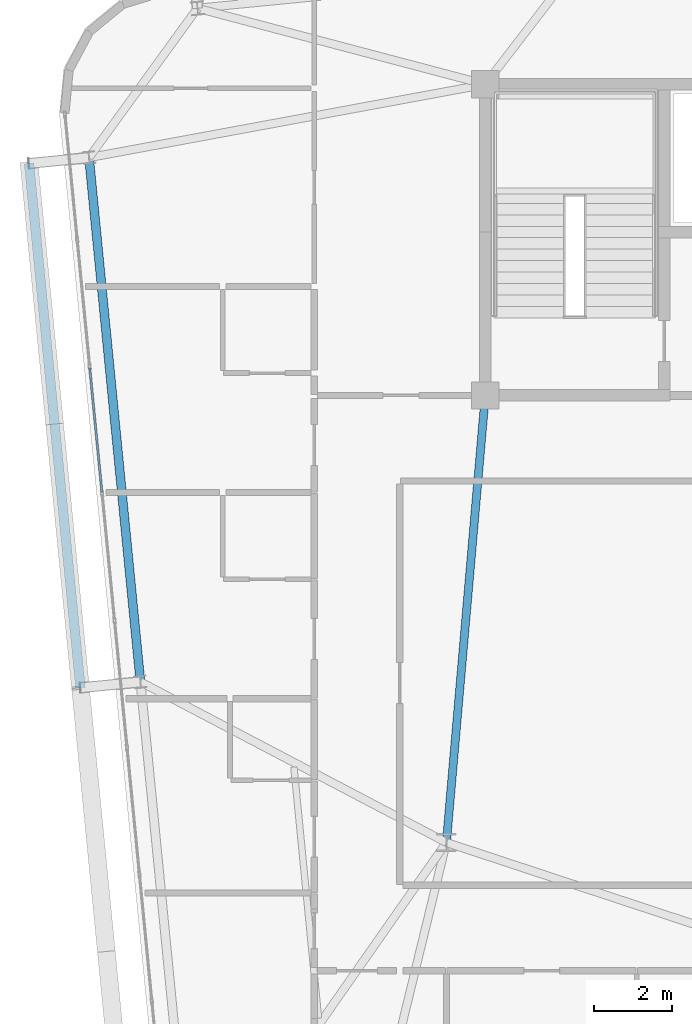
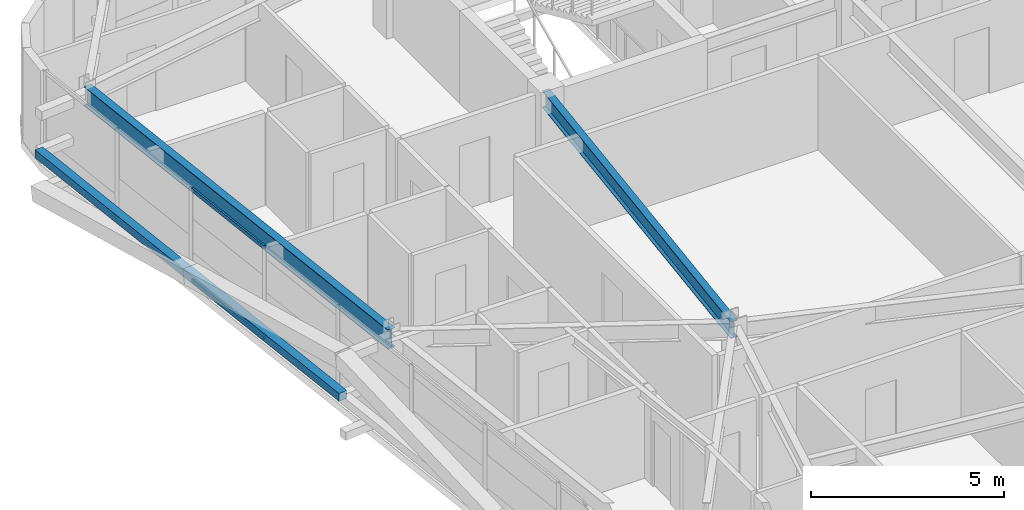
# One storey, part 14 of 53: 3 members, 2 beams, 1 element without a shape of its own.
"""IFC4 building model written with IfcOpenShell, lengths in metres."""

from ifc_helpers import new_model, si_unit, direction, frame, origin, origin_2d, place, context, subcontext, project, spatial, hollow_rectangle, i_section, extrude, source, transform, mapped, material, layer, layer_set, material_profile, profile_set, type_object, element, aggregate, save


model = new_model("IFC4")

# Units and contexts
model_context = context("Model", 3, precision=1e-05, world=origin(), true_north=direction((0.0, 1.0)))
body_context = subcontext(model_context, "Body", "Model", "MODEL_VIEW")
ifc_project = project(units=[si_unit("LENGTHUNIT", "METRE"), si_unit("AREAUNIT", "SQUARE_METRE"), si_unit("VOLUMEUNIT", "CUBIC_METRE"), si_unit("PLANEANGLEUNIT", "RADIAN"), si_unit("MASSUNIT", "GRAM", prefix="KILO")], contexts=[model_context])

# Site, building, storey
site_placement = place(None, origin())
site = spatial("IfcSite", under=ifc_project, at=site_placement, CompositionType="ELEMENT")
building_placement = place(site_placement, origin())
building = spatial("IfcBuilding", under=site, at=building_placement, Name="Taldren Reach Tower", CompositionType="ELEMENT")
storey_placement = place(building_placement, frame((0.0, 0.0, 68.25)))
storey = spatial("IfcBuildingStorey", under=building, at=storey_placement, Name="L20", CompositionType="ELEMENT", Elevation=68.25)

# Beams
ifc_material_1 = material(Name="Steel Gr 350 (350PLUS)", Category="steel")
ifc_material_profile_1 = material_profile(ifc_material_1, i_section(OverallWidth=0.208984375, OverallDepth=0.532958984375, WebThickness=0.01025390625, FlangeThickness=0.015625, at=origin_2d()), Name="530UB92.4")
ifc_profile_set_1 = profile_set([ifc_material_profile_1], Name="Steel Gr 350 (350PLUS)")
beam_type_1 = type_object("IfcBeamType", Name="BM-UB530A", PredefinedType="BEAM", material=ifc_profile_set_1)
shared_shape_1 = source(origin(), body_context, "Body", "SweptSolid", [
    extrude(i_section(OverallWidth=0.208984375, OverallDepth=0.532958984375, WebThickness=0.01025390625, FlangeThickness=0.015625, at=origin_2d()), origin(), (0.0, 0.0, 1.0), 11.54345703125),
])
beam_1_placement = place(storey_placement, frame((19.0, 24.0, 2.66357421875), z_axis=(-0.086629616365, -0.996240588196, 0.0), x_axis=(0.996240588196, -0.086629616365, 0.0)))
element("IfcBeam", 1, at=beam_1_placement, inside=storey, type_object=beam_type_1, Name="Core-spine girder L20-SP09", PredefinedType="BEAM", context=body_context, shape_type="MappedRepresentation", body=[
    mapped(shared_shape_1, transform((0.0, 0.0, 0.0), scale=1.0)),
])
ifc_material_profile_2 = material_profile(ifc_material_1, i_section(OverallWidth=0.22802734375, OverallDepth=0.60205078125, WebThickness=0.010498046875, FlangeThickness=0.014892578125, at=origin_2d()), Name="610UB101")
ifc_profile_set_2 = profile_set([ifc_material_profile_2], Name="Steel Gr 350 (350PLUS)")
beam_type_2 = type_object("IfcBeamType", Name="BM-UB610B", PredefinedType="BEAM", material=ifc_profile_set_2)
shared_shape_2 = source(origin(), body_context, "Body", "SweptSolid", [
    extrude(i_section(OverallWidth=0.22802734375, OverallDepth=0.60205078125, WebThickness=0.010498046875, FlangeThickness=0.014892578125, at=origin_2d()), origin(), (0.0, 0.0, 1.0), 13.550048828125),
])
beam_2_placement = place(storey_placement, frame((8.808349609375, 30.116455078125, 2.62890625), z_axis=(0.097584021339, -0.995227290009, 0.0), x_axis=(0.995227290009, 0.097584021339, 0.0)))
element("IfcBeam", 2, at=beam_2_placement, inside=storey, type_object=beam_type_2, Name="Perimeter gable girder B2 W3-W2 L20", PredefinedType="BEAM", context=body_context, shape_type="MappedRepresentation", body=[
    mapped(shared_shape_2, transform((0.0, 0.0, 0.0), scale=1.0)),
])

# Member
ifc_material_2 = material(Name="Steel Gr 350 (C350L0)", Category="steel")
ifc_material_profile_3 = material_profile(ifc_material_2, hollow_rectangle(XDim=0.25, YDim=0.25, WallThickness=0.010009765625, at=origin_2d()), Name="250x250x10.0SHS")
ifc_profile_set_3 = profile_set([ifc_material_profile_3], Name="Steel Gr 350 (C350L0)")
member_type_1 = type_object("IfcMemberType", Name="MB-POST250", PredefinedType="POST", material=ifc_profile_set_3)
shared_shape_3 = source(origin(), body_context, "Body", "SweptSolid", [
    extrude(hollow_rectangle(XDim=0.25, YDim=0.25, WallThickness=0.010009765625, at=origin_2d()), origin(), (0.0, 0.0, 1.0), 13.550048828125),
])
member_1_placement = place(storey_placement, frame((8.587890625, 16.479736328125, 1.43505859375), z_axis=(-0.097584021339, 0.995227290009, 0.0), x_axis=(-0.995227290009, -0.097584021339, 0.0)))
element("IfcMember", 3, at=member_1_placement, inside=storey, type_object=member_type_1, Name="Exoskeleton mid-height ring chord B2-W2 L20", PredefinedType="POST", context=body_context, shape_type="MappedRepresentation", body=[
    mapped(shared_shape_3, transform((0.0, 0.0, 0.0), scale=1.0)),
])

# Curtain wall, members
ifc_material_3 = material(Name="Aluminium and Low-E Glass Unitised System", Category="aluminium")
ifc_layer = layer(ifc_material_3, 0.159912109375)
ifc_layer_set = layer_set([ifc_layer], Name="Aluminium and Low-E Glass Unitised System")
curtain_wall_type = type_object("IfcCurtainWallType", Name="CW-SYS-3", PredefinedType="NOTDEFINED", material=ifc_layer_set)
curtain_wall_placement = place(storey_placement, origin())
curtain_wall = element("IfcCurtainWall", 4, at=curtain_wall_placement, inside=storey, type_object=curtain_wall_type, Name="Unitised curtain wall CW-L20-W", PredefinedType="NOTDEFINED")
ifc_material_4 = material(Name="Anodised Aluminium 6063-T6", Category="aluminium")
ifc_material_profile_4 = material_profile(ifc_material_4, hollow_rectangle(XDim=0.054931640625, YDim=0.1201171875, WallThickness=0.0029296875, at=origin_2d()), Name="ALU-120x55x3RHS")
ifc_profile_set_4 = profile_set([ifc_material_profile_4], Name="Anodised Aluminium 6063-T6")
member_type_2 = type_object("IfcMemberType", Name="CW-TRN-135", PredefinedType="USERDEFINED", material=ifc_profile_set_4)
shared_shape_4 = source(origin(), body_context, "Body", "SweptSolid", [
    extrude(hollow_rectangle(XDim=0.054931640625, YDim=0.1201171875, WallThickness=0.0029296875, at=origin_2d()), origin(), (0.0, 0.0, 1.0), 3.212890625),
])
member_2_placement = place(storey_placement, frame((8.826416015625, 24.704345703125, 0.027587890625), z_axis=(0.097569948235, -0.995228669805, 0.0), x_axis=(0.995228669805, 0.097569948235, 0.0)))
member_2 = element("IfcMember", 5, at=member_2_placement, type_object=member_type_2, Name="CW-3 transom 3.1", ObjectType="TRANSOM", PredefinedType="USERDEFINED", context=body_context, shape_type="MappedRepresentation", body=[
    mapped(shared_shape_4, transform((0.0, 0.0, 0.0), scale=1.0)),
])
member_3_placement = place(storey_placement, frame((8.826416015625, 24.704345703125, 2.902587890625), z_axis=(0.097569948235, -0.995228669805, 0.0), x_axis=(0.995228669805, 0.097569948235, 0.0)))
member_3 = element("IfcMember", 6, at=member_3_placement, type_object=member_type_2, Name="CW-3 transom 3.2", ObjectType="TRANSOM", PredefinedType="USERDEFINED", context=body_context, shape_type="MappedRepresentation", body=[
    mapped(shared_shape_4, transform((0.0, 0.0, 0.0), scale=1.0)),
])
aggregate(curtain_wall, [member_2, member_3])

save(model, "model.ifc")
